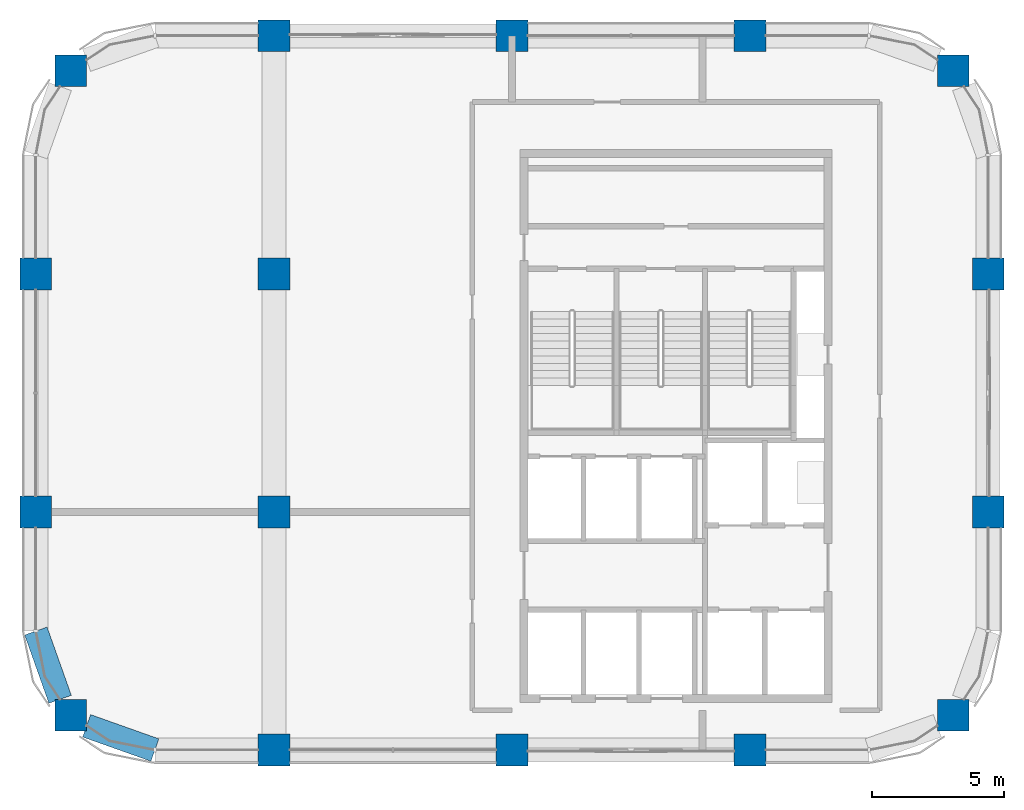
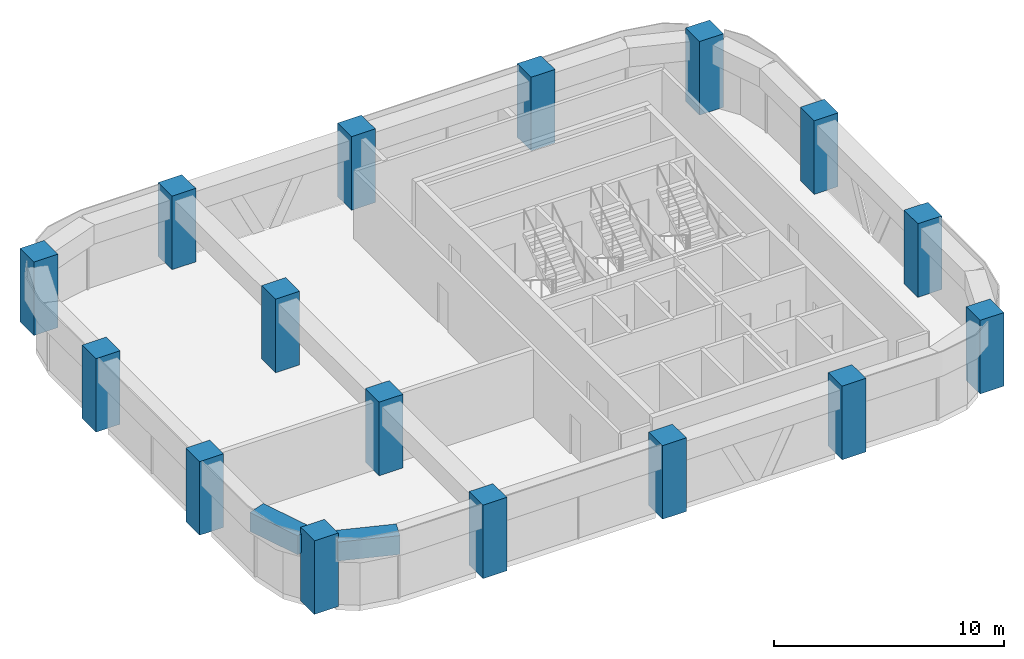
# One storey, part 1 of 9: 16 columns, 2 beams.
"""IFC4 building model written with IfcOpenShell, lengths in metres."""

from ifc_helpers import new_model, si_unit, direction, frame, origin, origin_2d, place, context, subcontext, project, spatial, rectangle, extrude, material, material_profile, profile_set, type_object, element, save


model = new_model("IFC4")

# Units and contexts
model_context = context("Model", 3, precision=1e-05, world=origin(), true_north=direction((0.0, 1.0)))
body_context = subcontext(model_context, "Body", "Model", "MODEL_VIEW")
ifc_project = project(units=[si_unit("LENGTHUNIT", "METRE"), si_unit("AREAUNIT", "SQUARE_METRE"), si_unit("VOLUMEUNIT", "CUBIC_METRE"), si_unit("PLANEANGLEUNIT", "RADIAN"), si_unit("MASSUNIT", "GRAM", prefix="KILO")], contexts=[model_context])

# Site, building, storey
site_placement = place(None, origin())
site = spatial("IfcSite", under=ifc_project, at=site_placement, CompositionType="ELEMENT")
building_placement = place(site_placement, origin())
building = spatial("IfcBuilding", under=site, at=building_placement, Name="Tessera Arch", CompositionType="ELEMENT")
storey_placement = place(building_placement, frame((0.0, 0.0, 309.0)))
storey = spatial("IfcBuildingStorey", under=building, at=storey_placement, Name="L74", CompositionType="ELEMENT", Elevation=309.0)

# Columns
ifc_material_1 = material(Name="Concrete C60/75", Category="concrete")
ifc_material_profile_1 = material_profile(ifc_material_1, rectangle(XDim=1.199951171875, YDim=1.199951171875, at=origin_2d()), Name="RC column 1200 x 1200 Concrete C60/75")
ifc_profile_set_1 = profile_set([ifc_material_profile_1], Name="Concrete C60/75")
column_type = type_object("IfcColumnType", Name="RC column 1200 x 1200 Concrete C60/75", PredefinedType="COLUMN", material=ifc_profile_set_1)
for number, where, z_axis, x_axis, name in (
    (1, (19.318115234375, 28.318115234375, 0.0), (0.0, 0.0, 1.0), (1.0, 0.0, 0.0), "Column C3D L74"),
    (2, (18.0, 36.0, 0.0), (0.0, 0.0, 1.0), (1.0, 0.0, 0.0), "Column C3E L74"),
    (3, (18.0, 45.0, 0.0), (0.0, 0.0, 1.0), (1.0, 0.0, 0.0), "Column C3F L74"),
    (4, (19.318115234375, 52.681884765625, 0.0), (0.0, 0.0, 1.0), (1.0, 0.0, 0.0), "Column C3G L74"),
    (5, (27.0, 27.0, 0.0), (0.0, 0.0, 1.0), (1.0, 0.0, 0.0), "Column C4D L74"),
    (6, (27.0, 36.0, 0.0), (0.0, 0.0, 1.0), (1.0, 0.0, 0.0), "Column C4E L74"),
    (7, (27.0, 45.0, 0.0), (0.0, 0.0, 1.0), (1.0, 0.0, 0.0), "Column C4F L74"),
    (8, (27.0, 54.0, 0.0), (0.0, 0.0, 1.0), (1.0, 0.0, 0.0), "Column C4G L74"),
    (9, (36.0, 27.0, 0.0), (0.0, 0.0, 1.0), (1.0, 0.0, 0.0), "Column C5D L74"),
    (10, (36.0, 54.0, 0.0), (0.0, 0.0, 1.0), (1.0, 0.0, 0.0), "Column C5G L74"),
    (11, (45.0, 27.0, 0.0), (0.0, 0.0, 1.0), (1.0, 0.0, 0.0), "Column C6D L74"),
    (12, (45.0, 54.0, 0.0), (0.0, 0.0, 1.0), (1.0, 0.0, 0.0), "Column C6G L74"),
    (13, (52.681884765625, 28.318115234375, 0.0), (0.0, 0.0, 1.0), (1.0, 0.0, 0.0), "Column C7D L74"),
    (14, (54.0, 36.0, 0.0), (0.0, 0.0, 1.0), (1.0, 0.0, 0.0), "Column C7E L74"),
    (15, (54.0, 45.0, 0.0), (0.0, 0.0, 1.0), (1.0, 0.0, 0.0), "Column C7F L74"),
    (16, (52.681884765625, 52.681884765625, 0.0), (0.0, 0.0, 1.0), (1.0, 0.0, 0.0), "Column C7G L74"),
):
    element("IfcColumn", number, at=place(storey_placement, frame(where, z_axis=z_axis, x_axis=x_axis)), inside=storey, type_object=column_type, Name=name, PredefinedType="COLUMN", context=body_context, shape_type="SweptSolid", body=[
        extrude(rectangle(XDim=1.199951171875, YDim=1.199951171875, at=origin_2d()), origin(), (0.0, 0.0, 1.0), 3.89990234375),
    ])

# Beams
ifc_material_2 = material(Name="Concrete C60/75", Category="concrete")
ifc_material_profile_2 = material_profile(ifc_material_2, rectangle(XDim=0.89990234375, YDim=1.0, at=origin_2d()), Name="RC spandrel beam 900 x 1000 Concrete C60/75")
ifc_profile_set_2 = profile_set([ifc_material_profile_2], Name="Concrete C60/75")
beam_type = type_object("IfcBeamType", Name="RC spandrel beam 900 x 1000 Concrete C60/75", PredefinedType="BEAM", material=ifc_profile_set_2)
for number, where, z_axis, x_axis, name in (
    (17, (18.0, 31.5, 3.10009765625), (0.334665114373, -0.942337127159, 0.0), (0.942337127159, 0.334665114373, 0.0), "Spandrel beam L74 W18.27/2.2"),
    (18, (19.91796875, 27.9169921875, 3.10009765625), (0.942337127159, -0.334665114373, 0.0), (0.334665114373, 0.942337127159, 0.0), "Spandrel beam L74 S27.18/0.1"),
):
    element("IfcBeam", number, at=place(storey_placement, frame(where, z_axis=z_axis, x_axis=x_axis)), inside=storey, type_object=beam_type, Name=name, PredefinedType="BEAM", context=body_context, shape_type="SweptSolid", body=[
        extrude(rectangle(XDim=0.89990234375, YDim=1.0, at=origin_2d()), origin(), (0.0, 0.0, 1.0), 2.739990234375),
    ])

save(model, "model.ifc")
